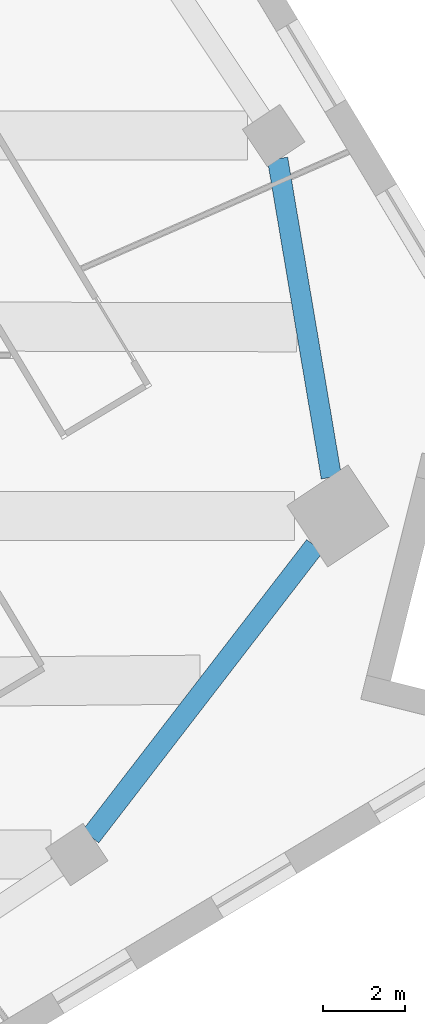
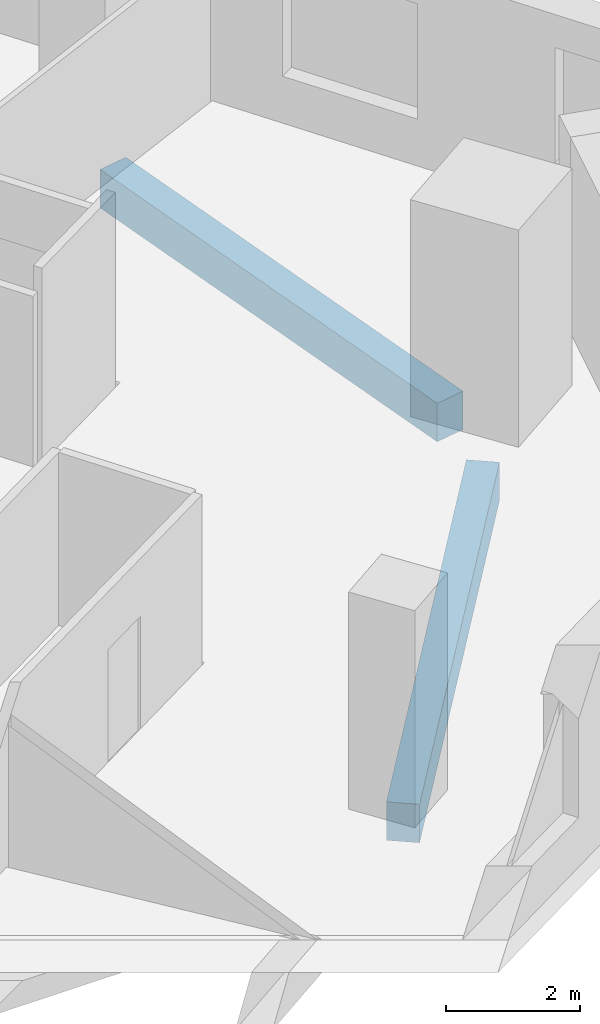
# One storey, part 3 of 14: 2 beams.
"""IFC4 building model written with IfcOpenShell, lengths in metres."""

from ifc_helpers import new_model, si_unit, direction, frame, origin, origin_2d, place, context, subcontext, project, spatial, rectangle, extrude, material, material_profile, profile_set, type_object, element, save


model = new_model("IFC4")

# Units and contexts
model_context = context("Model", 3, precision=1e-05, world=origin(), true_north=direction((0.0, 1.0)))
body_context = subcontext(model_context, "Body", "Model", "MODEL_VIEW")
ifc_project = project(units=[si_unit("LENGTHUNIT", "METRE"), si_unit("AREAUNIT", "SQUARE_METRE"), si_unit("VOLUMEUNIT", "CUBIC_METRE"), si_unit("PLANEANGLEUNIT", "RADIAN"), si_unit("MASSUNIT", "GRAM", prefix="KILO")], contexts=[model_context])

# Site, building, storey
site_placement = place(None, origin())
site = spatial("IfcSite", under=ifc_project, at=site_placement, CompositionType="ELEMENT")
building_placement = place(site_placement, origin())
building = spatial("IfcBuilding", under=site, at=building_placement, Name="Dilmun Exchange Tower", CompositionType="ELEMENT")
storey_placement = place(building_placement, frame((0.0, 0.0, 147.699951171875)))
storey = spatial("IfcBuildingStorey", under=building, at=storey_placement, Name="L34", CompositionType="ELEMENT", Elevation=147.699951171875)

# Beams
ifc_material = material(Name="Concrete C40/50", Category="concrete")
ifc_material_profile = material_profile(ifc_material, rectangle(XDim=0.5, YDim=0.699951171875, at=origin_2d()), Name="500 x 700")
ifc_profile_set = profile_set([ifc_material_profile], Name="Concrete C40/50")
beam_type = type_object("IfcBeamType", Name="RC ring beam 500 x 700 C40/50", PredefinedType="SPANDREL", material=ifc_profile_set)
beam_1_placement = place(storey_placement, frame((25.037109375, -11.819580078125, -0.75), z_axis=(0.610521727247, 0.791999507929, 0.0), x_axis=(-0.791999507929, 0.610521727247, 0.0)))
element("IfcBeam", 1, at=beam_1_placement, inside=storey, type_object=beam_type, Name="Ring beam 12", PredefinedType="SPANDREL", context=body_context, shape_type="SweptSolid", body=[
    extrude(rectangle(XDim=0.5, YDim=0.699951171875, at=origin_2d()), origin(), (0.0, 0.0, 1.0), 8.97314453125),
])
beam_2_placement = place(storey_placement, frame((30.91943359375, -3.036376953125, -0.75), z_axis=(-0.166485785433, 0.986043854628, 0.0), x_axis=(-0.986043854628, -0.166485785433, 0.0)))
element("IfcBeam", 2, at=beam_2_placement, inside=storey, type_object=beam_type, Name="Ring beam 13", PredefinedType="SPANDREL", context=body_context, shape_type="SweptSolid", body=[
    extrude(rectangle(XDim=0.5, YDim=0.699951171875, at=origin_2d()), origin(), (0.0, 0.0, 1.0), 7.890869140625),
])

save(model, "model.ifc")
